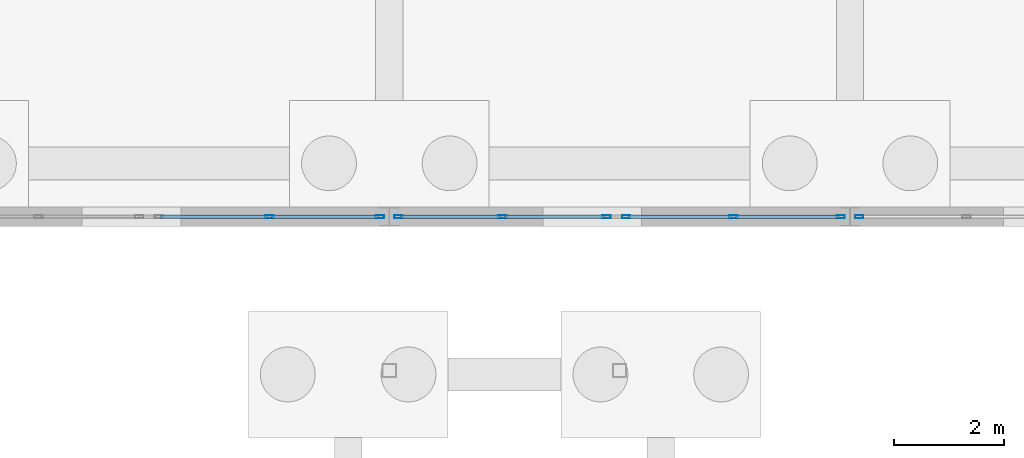
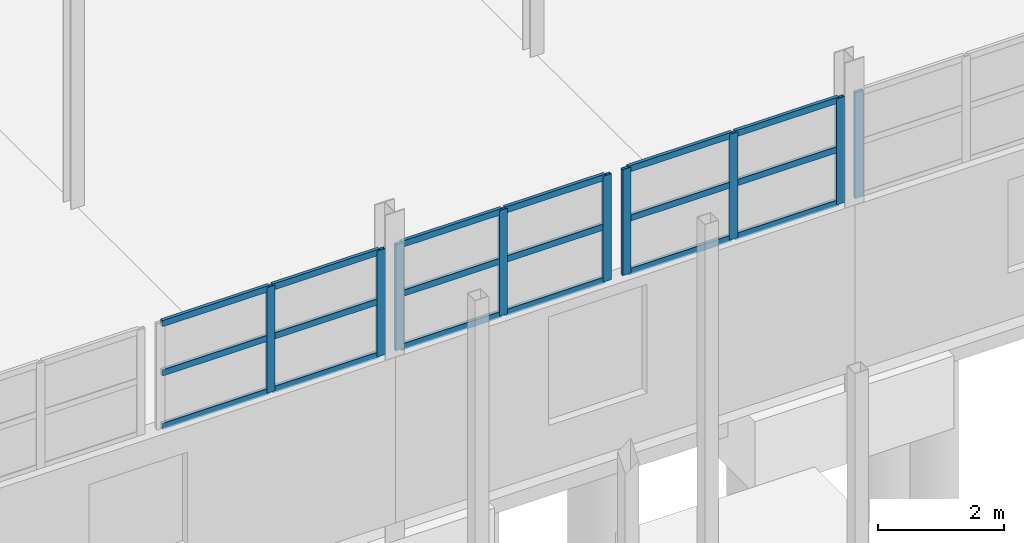
# One storey, part 69 of 139: 27 members, 4 elements without a shape of their own.
"""IFC4 building model written with IfcOpenShell, lengths in metres."""

from ifc_helpers import new_model, si_unit, direction, frame, origin, origin_2d, place, context, subcontext, project, spatial, hollow_rectangle, extrude, material, material_profile, profile_set, type_object, element, aggregate, save


model = new_model("IFC4")

# Units and contexts
model_context = context("Model", 3, precision=1e-05, world=origin(), true_north=direction((0.0, 1.0)))
body_context = subcontext(model_context, "Body", "Model", "MODEL_VIEW")
ifc_project = project(units=[si_unit("LENGTHUNIT", "METRE"), si_unit("AREAUNIT", "SQUARE_METRE"), si_unit("VOLUMEUNIT", "CUBIC_METRE"), si_unit("PLANEANGLEUNIT", "RADIAN"), si_unit("MASSUNIT", "GRAM", prefix="KILO")], contexts=[model_context])

# Site, building, storey
site_placement = place(None, origin())
site = spatial("IfcSite", under=ifc_project, at=site_placement, CompositionType="ELEMENT")
building_placement = place(site_placement, origin())
building = spatial("IfcBuilding", under=site, at=building_placement, Name="Kazenagashi Tramway Depot", CompositionType="ELEMENT")
storey_placement = place(building_placement, origin())
storey = spatial("IfcBuildingStorey", under=building, at=storey_placement, Name="L01", CompositionType="ELEMENT", Elevation=0.0)

# Curtain wall, members
ifc_material_1 = material(Name="Anodised Aluminium and Low-E Glazing", Category="aluminium")
curtain_wall_type_1 = type_object("IfcCurtainWallType", Name="CW-10", PredefinedType="USERDEFINED", material=ifc_material_1)
curtain_wall_1_placement = place(storey_placement, origin())
curtain_wall_1 = element("IfcCurtainWall", 1, at=curtain_wall_1_placement, inside=storey, type_object=curtain_wall_type_1, Name="Industrial Glazed Screen CW-10 CW-0025", ObjectType="GLAZED SCREEN", PredefinedType="USERDEFINED")
ifc_material_2 = material(Name="Anodised Aluminium", Category="aluminium")
ifc_material_profile_1 = material_profile(ifc_material_2, hollow_rectangle(XDim=0.06, YDim=0.15, WallThickness=0.004, at=origin_2d()), Name="RHS-150x60x4")
ifc_profile_set_1 = profile_set([ifc_material_profile_1], Name="Anodised Aluminium")
member_type_1 = type_object("IfcMemberType", Name="ML-01", PredefinedType="MULLION", material=ifc_profile_set_1)
member_1_placement = place(storey_placement, frame((84.615, 70.0, 3.2), z_axis=(0.0, 0.0, 1.0), x_axis=(0.0, 1.0, 0.0)))
member_1 = element("IfcMember", 2, at=member_1_placement, type_object=member_type_1, Name="CW-10 mullion 2", PredefinedType="MULLION", context=body_context, shape_type="SweptSolid", body=[
    extrude(hollow_rectangle(XDim=0.06, YDim=0.15, WallThickness=0.004, at=origin_2d()), origin(), (0.0, 0.0, 1.0), 2.047),
])
member_2_placement = place(storey_placement, frame((86.63, 70.0, 3.2), z_axis=(0.0, 0.0, 1.0), x_axis=(0.0, 1.0, 0.0)))
member_2 = element("IfcMember", 3, at=member_2_placement, type_object=member_type_1, Name="CW-10 mullion 3", PredefinedType="MULLION", context=body_context, shape_type="SweptSolid", body=[
    extrude(hollow_rectangle(XDim=0.06, YDim=0.15, WallThickness=0.004, at=origin_2d()), origin(), (0.0, 0.0, 1.0), 2.047),
])

curtain_wall_type_2 = type_object("IfcCurtainWallType", Name="CW-12", PredefinedType="USERDEFINED", material=ifc_material_1)
curtain_wall_2_placement = place(storey_placement, origin())
curtain_wall_2 = element("IfcCurtainWall", 4, at=curtain_wall_2_placement, inside=storey, type_object=curtain_wall_type_2, Name="Industrial Glazed Screen CW-12 CW-0027", ObjectType="GLAZED SCREEN", PredefinedType="USERDEFINED")
member_3_placement = place(storey_placement, frame((86.97, 70.0, 3.2), z_axis=(0.0, 0.0, 1.0), x_axis=(0.0, 1.0, 0.0)))
member_3 = element("IfcMember", 5, at=member_3_placement, type_object=member_type_1, Name="CW-12 mullion 1", PredefinedType="MULLION", context=body_context, shape_type="SweptSolid", body=[
    extrude(hollow_rectangle(XDim=0.06, YDim=0.15, WallThickness=0.004, at=origin_2d()), origin(), (0.0, 0.0, 1.0), 2.047),
])
member_4_placement = place(storey_placement, frame((88.865, 70.0, 3.2), z_axis=(0.0, 0.0, 1.0), x_axis=(0.0, 1.0, 0.0)))
member_4 = element("IfcMember", 6, at=member_4_placement, type_object=member_type_1, Name="CW-12 mullion 2", PredefinedType="MULLION", context=body_context, shape_type="SweptSolid", body=[
    extrude(hollow_rectangle(XDim=0.06, YDim=0.15, WallThickness=0.004, at=origin_2d()), origin(), (0.0, 0.0, 1.0), 2.047),
])
member_5_placement = place(storey_placement, frame((90.76, 70.0, 3.2), z_axis=(0.0, 0.0, 1.0), x_axis=(0.0, 1.0, 0.0)))
member_5 = element("IfcMember", 7, at=member_5_placement, type_object=member_type_1, Name="CW-12 mullion 3", PredefinedType="MULLION", context=body_context, shape_type="SweptSolid", body=[
    extrude(hollow_rectangle(XDim=0.06, YDim=0.15, WallThickness=0.004, at=origin_2d()), origin(), (0.0, 0.0, 1.0), 2.047),
])

curtain_wall_type_3 = type_object("IfcCurtainWallType", Name="CW-13", PredefinedType="USERDEFINED", material=ifc_material_1)
curtain_wall_3_placement = place(storey_placement, origin())
curtain_wall_3 = element("IfcCurtainWall", 8, at=curtain_wall_3_placement, inside=storey, type_object=curtain_wall_type_3, Name="Industrial Glazed Screen CW-13 CW-0028", ObjectType="GLAZED SCREEN", PredefinedType="USERDEFINED")
member_6_placement = place(storey_placement, frame((91.12, 70.0, 3.2), z_axis=(0.0, 0.0, 1.0), x_axis=(0.0, 1.0, 0.0)))
member_6 = element("IfcMember", 9, at=member_6_placement, type_object=member_type_1, Name="CW-13 mullion 1", PredefinedType="MULLION", context=body_context, shape_type="SweptSolid", body=[
    extrude(hollow_rectangle(XDim=0.06, YDim=0.15, WallThickness=0.004, at=origin_2d()), origin(), (0.0, 0.0, 1.0), 2.047),
])
member_7_placement = place(storey_placement, frame((93.075, 70.0, 3.2), z_axis=(0.0, 0.0, 1.0), x_axis=(0.0, 1.0, 0.0)))
member_7 = element("IfcMember", 10, at=member_7_placement, type_object=member_type_1, Name="CW-13 mullion 2", PredefinedType="MULLION", context=body_context, shape_type="SweptSolid", body=[
    extrude(hollow_rectangle(XDim=0.06, YDim=0.15, WallThickness=0.004, at=origin_2d()), origin(), (0.0, 0.0, 1.0), 2.047),
])
member_8_placement = place(storey_placement, frame((95.03, 70.0, 3.2), z_axis=(0.0, 0.0, 1.0), x_axis=(0.0, 1.0, 0.0)))
member_8 = element("IfcMember", 11, at=member_8_placement, type_object=member_type_1, Name="CW-13 mullion 3", PredefinedType="MULLION", context=body_context, shape_type="SweptSolid", body=[
    extrude(hollow_rectangle(XDim=0.06, YDim=0.15, WallThickness=0.004, at=origin_2d()), origin(), (0.0, 0.0, 1.0), 2.047),
])

# Curtain wall, member
curtain_wall_4_placement = place(storey_placement, origin())
curtain_wall_4 = element("IfcCurtainWall", 12, at=curtain_wall_4_placement, inside=storey, type_object=curtain_wall_type_3, Name="Industrial Glazed Screen CW-13 CW-0030", ObjectType="GLAZED SCREEN", PredefinedType="USERDEFINED")
member_9_placement = place(storey_placement, frame((95.37, 70.0, 3.2), z_axis=(0.0, 0.0, 1.0), x_axis=(0.0, 1.0, 0.0)))
member_9 = element("IfcMember", 13, at=member_9_placement, type_object=member_type_1, Name="CW-13 mullion 1", PredefinedType="MULLION", context=body_context, shape_type="SweptSolid", body=[
    extrude(hollow_rectangle(XDim=0.06, YDim=0.15, WallThickness=0.004, at=origin_2d()), origin(), (0.0, 0.0, 1.0), 2.047),
])
aggregate(curtain_wall_4, [member_9])

# Member
ifc_material_profile_2 = material_profile(ifc_material_2, hollow_rectangle(XDim=0.06, YDim=0.12, WallThickness=0.004, at=origin_2d()), Name="RHS-120x60x4")
ifc_profile_set_2 = profile_set([ifc_material_profile_2], Name="Anodised Aluminium")
member_type_2 = type_object("IfcMemberType", Name="TR-01", PredefinedType="USERDEFINED", material=ifc_profile_set_2)
member_10_placement = place(storey_placement, frame((82.63, 70.0, 3.23), z_axis=(1.0, 0.0, 0.0), x_axis=(0.0, 1.0, 0.0)))
member_10 = element("IfcMember", 14, at=member_10_placement, type_object=member_type_2, Name="CW-10 transom 1.1", ObjectType="TRANSOM", PredefinedType="USERDEFINED", context=body_context, shape_type="SweptSolid", body=[
    extrude(hollow_rectangle(XDim=0.06, YDim=0.12, WallThickness=0.004, at=origin_2d()), origin(), (0.0, 0.0, 1.0), 1.955),
])

member_11_placement = place(storey_placement, frame((82.63, 70.0, 4.264), z_axis=(1.0, 0.0, 0.0), x_axis=(0.0, 1.0, 0.0)))
member_11 = element("IfcMember", 15, at=member_11_placement, type_object=member_type_2, Name="CW-10 transom 1.2", ObjectType="TRANSOM", PredefinedType="USERDEFINED", context=body_context, shape_type="SweptSolid", body=[
    extrude(hollow_rectangle(XDim=0.06, YDim=0.12, WallThickness=0.004, at=origin_2d()), origin(), (0.0, 0.0, 1.0), 1.955),
])

member_12_placement = place(storey_placement, frame((82.63, 70.0, 5.217), z_axis=(1.0, 0.0, 0.0), x_axis=(0.0, 1.0, 0.0)))
member_12 = element("IfcMember", 16, at=member_12_placement, type_object=member_type_2, Name="CW-10 transom 1.3", ObjectType="TRANSOM", PredefinedType="USERDEFINED", context=body_context, shape_type="SweptSolid", body=[
    extrude(hollow_rectangle(XDim=0.06, YDim=0.12, WallThickness=0.004, at=origin_2d()), origin(), (0.0, 0.0, 1.0), 1.955),
])

member_13_placement = place(storey_placement, frame((84.645, 70.0, 3.23), z_axis=(1.0, 0.0, 0.0), x_axis=(0.0, 1.0, 0.0)))
member_13 = element("IfcMember", 17, at=member_13_placement, type_object=member_type_2, Name="CW-10 transom 2.1", ObjectType="TRANSOM", PredefinedType="USERDEFINED", context=body_context, shape_type="SweptSolid", body=[
    extrude(hollow_rectangle(XDim=0.06, YDim=0.12, WallThickness=0.004, at=origin_2d()), origin(), (0.0, 0.0, 1.0), 1.955),
])

member_14_placement = place(storey_placement, frame((84.645, 70.0, 4.264), z_axis=(1.0, 0.0, 0.0), x_axis=(0.0, 1.0, 0.0)))
member_14 = element("IfcMember", 18, at=member_14_placement, type_object=member_type_2, Name="CW-10 transom 2.2", ObjectType="TRANSOM", PredefinedType="USERDEFINED", context=body_context, shape_type="SweptSolid", body=[
    extrude(hollow_rectangle(XDim=0.06, YDim=0.12, WallThickness=0.004, at=origin_2d()), origin(), (0.0, 0.0, 1.0), 1.955),
])

member_15_placement = place(storey_placement, frame((84.645, 70.0, 5.217), z_axis=(1.0, 0.0, 0.0), x_axis=(0.0, 1.0, 0.0)))
member_15 = element("IfcMember", 19, at=member_15_placement, type_object=member_type_2, Name="CW-10 transom 2.3", ObjectType="TRANSOM", PredefinedType="USERDEFINED", context=body_context, shape_type="SweptSolid", body=[
    extrude(hollow_rectangle(XDim=0.06, YDim=0.12, WallThickness=0.004, at=origin_2d()), origin(), (0.0, 0.0, 1.0), 1.955),
])

aggregate(curtain_wall_1, [member_1, member_2, member_10, member_11, member_12, member_13, member_14, member_15])

member_16_placement = place(storey_placement, frame((87.0, 70.0, 3.23), z_axis=(1.0, 0.0, 0.0), x_axis=(0.0, 1.0, 0.0)))
member_16 = element("IfcMember", 20, at=member_16_placement, type_object=member_type_2, Name="CW-12 transom 1.1", ObjectType="TRANSOM", PredefinedType="USERDEFINED", context=body_context, shape_type="SweptSolid", body=[
    extrude(hollow_rectangle(XDim=0.06, YDim=0.12, WallThickness=0.004, at=origin_2d()), origin(), (0.0, 0.0, 1.0), 1.835),
])

member_17_placement = place(storey_placement, frame((87.0, 70.0, 4.264), z_axis=(1.0, 0.0, 0.0), x_axis=(0.0, 1.0, 0.0)))
member_17 = element("IfcMember", 21, at=member_17_placement, type_object=member_type_2, Name="CW-12 transom 1.2", ObjectType="TRANSOM", PredefinedType="USERDEFINED", context=body_context, shape_type="SweptSolid", body=[
    extrude(hollow_rectangle(XDim=0.06, YDim=0.12, WallThickness=0.004, at=origin_2d()), origin(), (0.0, 0.0, 1.0), 1.835),
])

member_18_placement = place(storey_placement, frame((87.0, 70.0, 5.217), z_axis=(1.0, 0.0, 0.0), x_axis=(0.0, 1.0, 0.0)))
member_18 = element("IfcMember", 22, at=member_18_placement, type_object=member_type_2, Name="CW-12 transom 1.3", ObjectType="TRANSOM", PredefinedType="USERDEFINED", context=body_context, shape_type="SweptSolid", body=[
    extrude(hollow_rectangle(XDim=0.06, YDim=0.12, WallThickness=0.004, at=origin_2d()), origin(), (0.0, 0.0, 1.0), 1.835),
])

member_19_placement = place(storey_placement, frame((88.895, 70.0, 3.23), z_axis=(1.0, 0.0, 0.0), x_axis=(0.0, 1.0, 0.0)))
member_19 = element("IfcMember", 23, at=member_19_placement, type_object=member_type_2, Name="CW-12 transom 2.1", ObjectType="TRANSOM", PredefinedType="USERDEFINED", context=body_context, shape_type="SweptSolid", body=[
    extrude(hollow_rectangle(XDim=0.06, YDim=0.12, WallThickness=0.004, at=origin_2d()), origin(), (0.0, 0.0, 1.0), 1.835),
])

member_20_placement = place(storey_placement, frame((88.895, 70.0, 4.264), z_axis=(1.0, 0.0, 0.0), x_axis=(0.0, 1.0, 0.0)))
member_20 = element("IfcMember", 24, at=member_20_placement, type_object=member_type_2, Name="CW-12 transom 2.2", ObjectType="TRANSOM", PredefinedType="USERDEFINED", context=body_context, shape_type="SweptSolid", body=[
    extrude(hollow_rectangle(XDim=0.06, YDim=0.12, WallThickness=0.004, at=origin_2d()), origin(), (0.0, 0.0, 1.0), 1.835),
])

member_21_placement = place(storey_placement, frame((88.895, 70.0, 5.217), z_axis=(1.0, 0.0, 0.0), x_axis=(0.0, 1.0, 0.0)))
member_21 = element("IfcMember", 25, at=member_21_placement, type_object=member_type_2, Name="CW-12 transom 2.3", ObjectType="TRANSOM", PredefinedType="USERDEFINED", context=body_context, shape_type="SweptSolid", body=[
    extrude(hollow_rectangle(XDim=0.06, YDim=0.12, WallThickness=0.004, at=origin_2d()), origin(), (0.0, 0.0, 1.0), 1.835),
])

aggregate(curtain_wall_2, [member_3, member_4, member_5, member_16, member_17, member_18, member_19, member_20, member_21])

member_22_placement = place(storey_placement, frame((91.15, 70.0, 3.23), z_axis=(1.0, 0.0, 0.0), x_axis=(0.0, 1.0, 0.0)))
member_22 = element("IfcMember", 26, at=member_22_placement, type_object=member_type_2, Name="CW-13 transom 1.1", ObjectType="TRANSOM", PredefinedType="USERDEFINED", context=body_context, shape_type="SweptSolid", body=[
    extrude(hollow_rectangle(XDim=0.06, YDim=0.12, WallThickness=0.004, at=origin_2d()), origin(), (0.0, 0.0, 1.0), 1.895),
])

member_23_placement = place(storey_placement, frame((91.15, 70.0, 4.264), z_axis=(1.0, 0.0, 0.0), x_axis=(0.0, 1.0, 0.0)))
member_23 = element("IfcMember", 27, at=member_23_placement, type_object=member_type_2, Name="CW-13 transom 1.2", ObjectType="TRANSOM", PredefinedType="USERDEFINED", context=body_context, shape_type="SweptSolid", body=[
    extrude(hollow_rectangle(XDim=0.06, YDim=0.12, WallThickness=0.004, at=origin_2d()), origin(), (0.0, 0.0, 1.0), 1.895),
])

member_24_placement = place(storey_placement, frame((91.15, 70.0, 5.217), z_axis=(1.0, 0.0, 0.0), x_axis=(0.0, 1.0, 0.0)))
member_24 = element("IfcMember", 28, at=member_24_placement, type_object=member_type_2, Name="CW-13 transom 1.3", ObjectType="TRANSOM", PredefinedType="USERDEFINED", context=body_context, shape_type="SweptSolid", body=[
    extrude(hollow_rectangle(XDim=0.06, YDim=0.12, WallThickness=0.004, at=origin_2d()), origin(), (0.0, 0.0, 1.0), 1.895),
])

member_25_placement = place(storey_placement, frame((93.105, 70.0, 3.23), z_axis=(1.0, 0.0, 0.0), x_axis=(0.0, 1.0, 0.0)))
member_25 = element("IfcMember", 29, at=member_25_placement, type_object=member_type_2, Name="CW-13 transom 2.1", ObjectType="TRANSOM", PredefinedType="USERDEFINED", context=body_context, shape_type="SweptSolid", body=[
    extrude(hollow_rectangle(XDim=0.06, YDim=0.12, WallThickness=0.004, at=origin_2d()), origin(), (0.0, 0.0, 1.0), 1.895),
])

member_26_placement = place(storey_placement, frame((93.105, 70.0, 4.264), z_axis=(1.0, 0.0, 0.0), x_axis=(0.0, 1.0, 0.0)))
member_26 = element("IfcMember", 30, at=member_26_placement, type_object=member_type_2, Name="CW-13 transom 2.2", ObjectType="TRANSOM", PredefinedType="USERDEFINED", context=body_context, shape_type="SweptSolid", body=[
    extrude(hollow_rectangle(XDim=0.06, YDim=0.12, WallThickness=0.004, at=origin_2d()), origin(), (0.0, 0.0, 1.0), 1.895),
])

member_27_placement = place(storey_placement, frame((93.105, 70.0, 5.217), z_axis=(1.0, 0.0, 0.0), x_axis=(0.0, 1.0, 0.0)))
member_27 = element("IfcMember", 31, at=member_27_placement, type_object=member_type_2, Name="CW-13 transom 2.3", ObjectType="TRANSOM", PredefinedType="USERDEFINED", context=body_context, shape_type="SweptSolid", body=[
    extrude(hollow_rectangle(XDim=0.06, YDim=0.12, WallThickness=0.004, at=origin_2d()), origin(), (0.0, 0.0, 1.0), 1.895),
])

aggregate(curtain_wall_3, [member_6, member_7, member_8, member_22, member_23, member_24, member_25, member_26, member_27])

save(model, "model.ifc")
